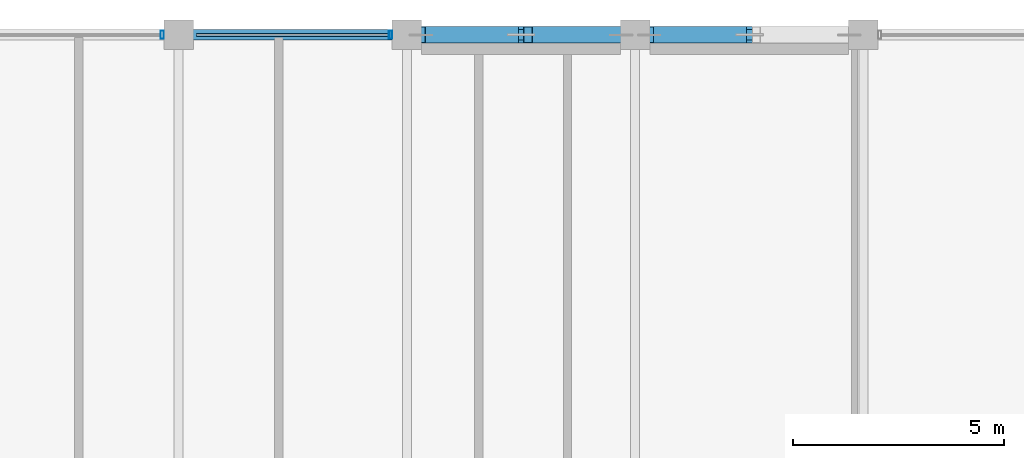
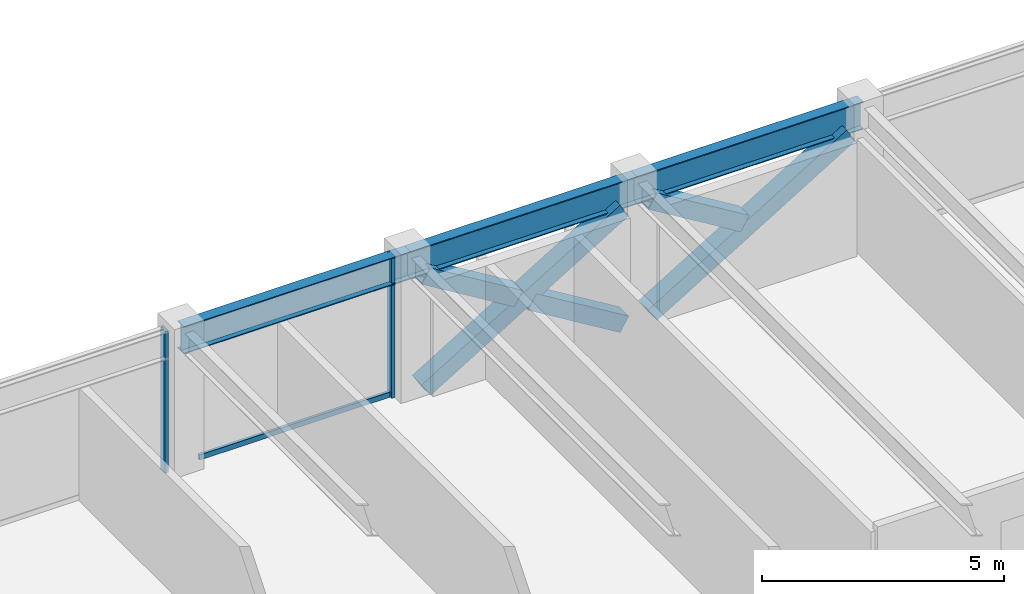
# One storey, part 18 of 30: 8 members, 3 beams, 1 element without a shape of its own.
"""IFC4 building model written with IfcOpenShell, lengths in metres."""

import ifcopenshell
import ifcopenshell.guid

model = None  # the IFC model being written
_history = None  # IfcOwnerHistory: only IFC2X3 demands one
_inside = {}  # id of a spatial element -> (the spatial element, [elements in it])
_under = {}  # id of a project, library or spatial element -> (it, [spatial elements below it])
_declared = {}  # id of a project -> (the project, [libraries it declares])
_typed = {}  # id of a type object -> (the type object, [elements of that type])
_made_of = {}  # id of a material, layer set ... -> (it, [elements and type objects made of it])


def new_model(schema):
    """Start an empty IFC model of exactly this schema.

    Asked for "IFC4X3", IfcOpenShell would pick the latest addendum, in which some entities
    have other attributes; the version numbers below select the first issue.
    IFC2X3 requires an IfcOwnerHistory on every rooted entity: one is made here for all.
    """
    global model, _history
    if schema == "IFC4X3":
        model = ifcopenshell.file(schema_version=(4, 3, 0, 0))
    else:
        model = ifcopenshell.file(schema=schema)
    _inside.clear()
    _under.clear()
    _declared.clear()
    _typed.clear()
    _made_of.clear()
    _history = None
    if model.schema == "IFC2X3":
        org = make("IfcOrganization", Name="unknown")
        user = make(
            "IfcPersonAndOrganization",
            ThePerson=make("IfcPerson", FamilyName="unknown"),
            TheOrganization=org,
        )
        app = make(
            "IfcApplication",
            ApplicationDeveloper=org,
            Version="unknown",
            ApplicationFullName="unknown",
            ApplicationIdentifier="unknown",
        )
        _history = make(
            "IfcOwnerHistory",
            OwningUser=user,
            OwningApplication=app,
            ChangeAction="ADDED",
            CreationDate=0,
        )
    return model


def make(cls, **values):
    """One entity of the class cls with the attributes given. An attribute that is None is left unset."""
    return model.create_entity(
        cls, **{name: value for name, value in values.items() if value is not None}
    )


def rooted(cls, **values):
    """An entity with a GlobalId (a new one), such as an element, a storey or a relation."""
    return make(cls, GlobalId=ifcopenshell.guid.new(), OwnerHistory=_history, **values)


def si_unit(unit_type, name, prefix=None):
    """IfcSIUnit, for example si_unit("LENGTHUNIT", "METRE", prefix="MILLI")."""
    return make("IfcSIUnit", UnitType=unit_type, Prefix=prefix, Name=name)


def assignment(units):
    """IfcUnitAssignment: the units of a project."""
    return None if units is None else make("IfcUnitAssignment", Units=units)


def point(xyz):
    """IfcCartesianPoint."""
    return None if xyz is None else make("IfcCartesianPoint", Coordinates=xyz)


def direction(xyz):
    """IfcDirection."""
    return None if xyz is None else make("IfcDirection", DirectionRatios=xyz)


def frame(location, z_axis=None, x_axis=None):
    """IfcAxis2Placement3D, a coordinate frame: its origin and axes. An axis left out is left unset."""
    return make(
        "IfcAxis2Placement3D",
        Location=point(location),
        Axis=direction(z_axis),
        RefDirection=direction(x_axis),
    )


def frame_2d(location, x_axis=None):
    """IfcAxis2Placement2D, a coordinate frame in the plane: its origin and x axis."""
    return make(
        "IfcAxis2Placement2D", Location=point(location), RefDirection=direction(x_axis)
    )


def origin():
    """The frame at (0, 0, 0) with its axes left unset."""
    return frame((0.0, 0.0, 0.0))


def origin_2d():
    """The frame at (0, 0) in the plane with its x axis left unset."""
    return frame_2d((0.0, 0.0))


def place(relative_to, where):
    """IfcLocalPlacement: puts the frame where relative to a parent placement (None: the world)."""
    return make(
        "IfcLocalPlacement", PlacementRelTo=relative_to, RelativePlacement=where
    )


def context(
    kind, dimensions, precision=None, world=None, true_north=None, identifier=None
):
    """IfcGeometricRepresentationContext, for example the 3D "Model" context."""
    return make(
        "IfcGeometricRepresentationContext",
        ContextIdentifier=identifier,
        ContextType=kind,
        CoordinateSpaceDimension=dimensions,
        Precision=precision,
        WorldCoordinateSystem=world,
        TrueNorth=true_north,
    )


def subcontext(parent, identifier, kind, view, scale=None):
    """IfcGeometricRepresentationSubContext, for example "Body" below "Model"."""
    return make(
        "IfcGeometricRepresentationSubContext",
        ContextIdentifier=identifier,
        ContextType=kind,
        ParentContext=parent,
        TargetScale=scale,
        TargetView=view,
    )


def project(units=None, contexts=None):
    """IfcProject with its units and contexts."""
    return rooted(
        "IfcProject",
        Name="project",
        RepresentationContexts=contexts,
        UnitsInContext=assignment(units),
    )


def spatial(cls, under=None, at=None, **own):
    """A site, building, storey or space (cls), placed at a placement, below another one or the project."""
    s = rooted(cls, ObjectPlacement=at, **own)
    if under is not None:
        _under.setdefault(under.id(), (under, []))[1].append(s)
    return s


def profile(cls, at=None, kind="AREA", **sizes):
    """A parametric profile (cls). Its sizes go by their IFC names, for example OverallWidth=200.0."""
    return make(cls, ProfileType=kind, Position=at, **sizes)


def hollow_rectangle(**sizes):
    """IfcRectangleHollowProfileDef."""
    return profile("IfcRectangleHollowProfileDef", **sizes)


def i_section(**sizes):
    """IfcIShapeProfileDef."""
    return profile("IfcIShapeProfileDef", **sizes)


def extrude(swept, where, along, depth):
    """IfcExtrudedAreaSolid: the profile swept, set in the frame where, extruded along a direction by depth."""
    return make(
        "IfcExtrudedAreaSolid",
        SweptArea=swept,
        Position=where,
        ExtrudedDirection=direction(along),
        Depth=depth,
    )


def shape(context_of_items, identifier, shape_type, items):
    """IfcShapeRepresentation: the items that make up one representation, for example the "Body"."""
    return make(
        "IfcShapeRepresentation",
        ContextOfItems=context_of_items,
        RepresentationIdentifier=identifier,
        RepresentationType=shape_type,
        Items=items,
    )


def material(Name=None, Category=None):
    """IfcMaterial."""
    return make("IfcMaterial", Name=Name, Category=Category)


def layer(
    of_material, thickness, ventilated=None, Name=None, Category=None, Priority=None
):
    """IfcMaterialLayer: one layer of a wall or slab, of a material (None: an air gap)."""
    return make(
        "IfcMaterialLayer",
        Material=of_material,
        LayerThickness=thickness,
        IsVentilated=ventilated,
        Name=Name,
        Category=Category,
        Priority=Priority,
    )


def layer_set(layers, Name=None):
    """IfcMaterialLayerSet."""
    return make("IfcMaterialLayerSet", MaterialLayers=layers, LayerSetName=Name)


def material_profile(
    of_material, cross_section, Name=None, Category=None, Priority=None
):
    """IfcMaterialProfile: a cross section and its material."""
    return make(
        "IfcMaterialProfile",
        Name=Name,
        Material=of_material,
        Profile=cross_section,
        Priority=Priority,
        Category=Category,
    )


def profile_set(profiles, Name=None, composite=None):
    """IfcMaterialProfileSet."""
    return make(
        "IfcMaterialProfileSet",
        Name=Name,
        MaterialProfiles=profiles,
        CompositeProfile=composite,
    )


def made_of(thing, what):
    """Note that an element or type object is made of a material, layer set ...; save() writes the relation."""
    if what is not None:
        _made_of.setdefault(what.id(), (what, []))[1].append(thing)
    return thing


def type_object(cls, material=None, **own):
    """A type object (cls), such as IfcWallType, which elements share."""
    return made_of(rooted(cls, **own), material)


def element(
    cls,
    number,
    at=None,
    inside=None,
    cuts=None,
    type_object=None,
    material=None,
    context=None,
    identifier="Body",
    shape_type=None,
    held_by="IfcProductDefinitionShape",
    body=None,
    shapes=None,
    **own,
):
    """One element of the class cls, such as IfcWall. Its Tag is "e" and its number.

    at: its placement. inside: the storey or other place that contains it. cuts: it is an
    opening in that element (IfcRelVoidsElement). A single representation is given by context,
    identifier, shape_type and body (its items); several are given by shapes. held_by: the class
    of the entity that holds the representations. save() writes the other relations.
    """
    e = rooted(cls, Tag="e%d" % number, ObjectPlacement=at, **own)
    if body is not None:
        shapes = [shape(context, identifier, shape_type, body)]
    if shapes is not None:
        e.Representation = make(held_by, Representations=shapes)
    if inside is not None:
        _inside.setdefault(inside.id(), (inside, []))[1].append(e)
    if cuts is not None:
        rooted(
            "IfcRelVoidsElement", RelatingBuildingElement=cuts, RelatedOpeningElement=e
        )
    if type_object is not None:
        _typed.setdefault(type_object.id(), (type_object, []))[1].append(e)
    return made_of(e, material)


def aggregate(whole, parts):
    """IfcRelAggregates: a whole, such as a stair, and the parts it consists of."""
    return rooted("IfcRelAggregates", RelatingObject=whole, RelatedObjects=parts)


def save(model, path):
    """Write the relations noted so far, then the file.

    IfcRelAggregates (storeys below a building ...), IfcRelContainedInSpatialStructure (elements
    in a storey), IfcRelDefinesByType, IfcRelAssociatesMaterial and IfcRelDeclares: one each for
    every whole, place, type object, material and project.
    """
    for whole, parts in _under.values():
        aggregate(whole, parts)
    for where, things in _inside.values():
        rooted(
            "IfcRelContainedInSpatialStructure",
            RelatedElements=things,
            RelatingStructure=where,
        )
    for kind, things in _typed.values():
        rooted("IfcRelDefinesByType", RelatedObjects=things, RelatingType=kind)
    for what, things in _made_of.values():
        rooted("IfcRelAssociatesMaterial", RelatedObjects=things, RelatingMaterial=what)
    for by, libraries in _declared.values():
        rooted("IfcRelDeclares", RelatingContext=by, RelatedDefinitions=libraries)
    model.write(path)


model = new_model("IFC4")

# Units and contexts
model_context = context("Model", 3, precision=1e-05, world=origin(), true_north=direction((0.0, 1.0)))
body_context = subcontext(model_context, "Body", "Model", "MODEL_VIEW")
ifc_project = project(units=[si_unit("LENGTHUNIT", "METRE"), si_unit("AREAUNIT", "SQUARE_METRE"), si_unit("VOLUMEUNIT", "CUBIC_METRE"), si_unit("PLANEANGLEUNIT", "RADIAN"), si_unit("MASSUNIT", "GRAM", prefix="KILO")], contexts=[model_context])

# Site, building, storey
site_placement = place(None, origin())
site = spatial("IfcSite", under=ifc_project, at=site_placement, CompositionType="ELEMENT")
building_placement = place(site_placement, origin())
building = spatial("IfcBuilding", under=site, at=building_placement, Name="Surkhivell Harbour Commons", CompositionType="ELEMENT")
storey_placement = place(building_placement, frame((0.0, 0.0, 281.25)))
storey = spatial("IfcBuildingStorey", under=building, at=storey_placement, Name="L73", CompositionType="ELEMENT", Elevation=281.25)

# Beams
ifc_material_1 = material(Name="Steel S355", Category="steel")
ifc_material_profile_1 = material_profile(ifc_material_1, i_section(OverallWidth=0.256103515625, OverallDepth=0.693115234375, WebThickness=0.014404296875, FlangeThickness=0.023681640625, at=origin_2d()), Name="UB686x254x170")
ifc_profile_set_1 = profile_set([ifc_material_profile_1], Name="Steel S355")
beam_type = type_object("IfcBeamType", Name="BM-SPN-686", PredefinedType="SPANDREL", material=ifc_profile_set_1)
beam_placement = place(storey_placement, frame((-10.800048828125, 25.89990234375, 3.223388671875), z_axis=(1.0, 0.0, 0.0), x_axis=(0.0, 1.0, 0.0)))
element("IfcBeam", 1, at=beam_placement, inside=storey, type_object=beam_type, Name="L73 Tube Spandrel (-10.8,25.9)", PredefinedType="SPANDREL", context=body_context, shape_type="SweptSolid", body=[
    extrude(i_section(OverallWidth=0.256103515625, OverallDepth=0.693115234375, WebThickness=0.014404296875, FlangeThickness=0.023681640625, at=origin_2d()), origin(), (0.0, 0.0, 1.0), 5.400146484375),
])
for number, where, z_axis, x_axis, name in (
    (2, (-5.39990234375, 25.89990234375, 3.223388671875), (1.0, 0.0, 0.0), (0.0, 1.0, 0.0), "L73 Tube Spandrel (-5.4,25.9)"),
    (3, (0.0, 25.89990234375, 3.223388671875), (1.0, 0.0, 0.0), (0.0, 1.0, 0.0), "L73 Tube Spandrel (-0.0,25.9)"),
):
    element("IfcBeam", number, at=place(storey_placement, frame(where, z_axis=z_axis, x_axis=x_axis)), inside=storey, type_object=beam_type, Name=name, PredefinedType="SPANDREL", context=body_context, shape_type="SweptSolid", body=[
        extrude(i_section(OverallWidth=0.256103515625, OverallDepth=0.693115234375, WebThickness=0.014404296875, FlangeThickness=0.023681640625, at=origin_2d()), origin(), (0.0, 0.0, 1.0), 5.39990234375),
    ])

# Curtain wall, members
ifc_material_2 = material(Name="Anodised pale-metal aluminium and insulated glazing", Category="aluminium")
ifc_layer = layer(ifc_material_2, 0.175048828125)
ifc_layer_set = layer_set([ifc_layer], Name="Anodised pale-metal aluminium and insulated glazing")
curtain_wall_type = type_object("IfcCurtainWallType", Name="CW-SYS-Z4", PredefinedType="NOTDEFINED", material=ifc_layer_set)
curtain_wall_placement = place(storey_placement, origin())
curtain_wall = element("IfcCurtainWall", 4, at=curtain_wall_placement, inside=storey, type_object=curtain_wall_type, Name="L73 Curtain Wall CW-L73-E07S2", PredefinedType="NOTDEFINED")
ifc_material_3 = material(Name="Anodised pale-metal aluminium alloy 6063-T6", Category="aluminium")
ifc_material_profile_2 = material_profile(ifc_material_3, hollow_rectangle(XDim=0.074951171875, YDim=0.18994140625, WallThickness=0.00390625, at=origin_2d()), Name="ALU-MULL-75x190")
ifc_profile_set_2 = profile_set([ifc_material_profile_2], Name="Anodised pale-metal aluminium alloy 6063-T6")
member_type_1 = type_object("IfcMemberType", Name="CWM-190", PredefinedType="MULLION", material=ifc_profile_set_2)
member_1_placement = place(storey_placement, frame((-5.78955078125, 25.89990234375, 0.0), z_axis=(0.0, 0.0, 1.0), x_axis=(-1.0, 0.0, 0.0)))
member_1 = element("IfcMember", 5, at=member_1_placement, type_object=member_type_1, Name="CW-Z4 mullion 1", PredefinedType="MULLION", context=body_context, shape_type="SweptSolid", body=[
    extrude(hollow_rectangle(XDim=0.074951171875, YDim=0.18994140625, WallThickness=0.00390625, at=origin_2d()), origin(), (0.0, 0.0, 1.0), 3.570068359375),
])
member_2_placement = place(storey_placement, frame((-11.189453125, 25.89990234375, 0.0), z_axis=(0.0, 0.0, 1.0), x_axis=(-1.0, 0.0, 0.0)))
member_2 = element("IfcMember", 6, at=member_2_placement, type_object=member_type_1, Name="CW-Z4 mullion 2", PredefinedType="MULLION", context=body_context, shape_type="SweptSolid", body=[
    extrude(hollow_rectangle(XDim=0.074951171875, YDim=0.18994140625, WallThickness=0.00390625, at=origin_2d()), origin(), (0.0, 0.0, 1.0), 3.570068359375),
])
ifc_material_4 = material(Name="Champagne anodised aluminium alloy 6063-T6", Category="aluminium")
ifc_material_profile_3 = material_profile(ifc_material_4, hollow_rectangle(XDim=0.070068359375, YDim=0.1298828125, WallThickness=0.00341796875, at=origin_2d()), Name="ALU-TRAN-70x130")
ifc_profile_set_3 = profile_set([ifc_material_profile_3], Name="Champagne anodised aluminium alloy 6063-T6")
member_type_2 = type_object("IfcMemberType", Name="CWT-130", PredefinedType="USERDEFINED", material=ifc_profile_set_3)
member_3_placement = place(storey_placement, frame((-5.826904296875, 25.89990234375, 0.06494140625), z_axis=(-1.0, 0.0, 0.0), x_axis=(0.0, -1.0, 0.0)))
member_3 = element("IfcMember", 7, at=member_3_placement, type_object=member_type_2, Name="CW-Z4 transom 1.1", ObjectType="TRANSOM", PredefinedType="USERDEFINED", context=body_context, shape_type="SweptSolid", body=[
    extrude(hollow_rectangle(XDim=0.070068359375, YDim=0.1298828125, WallThickness=0.00341796875, at=origin_2d()), origin(), (0.0, 0.0, 1.0), 4.546142578125),
])
aggregate(curtain_wall, [member_1, member_3, member_2])

# Members
ifc_material_5 = material(Name="Steel S460", Category="steel")
ifc_material_profile_4 = material_profile(ifc_material_5, hollow_rectangle(XDim=0.39990234375, YDim=0.39990234375, WallThickness=0.02001953125, at=origin_2d()), Name="SHS400x400x20")
ifc_profile_set_4 = profile_set([ifc_material_profile_4], Name="Steel S460")
member_type_3 = type_object("IfcMemberType", Name="MEM-BRC-SHS400", PredefinedType="BRACE", material=ifc_profile_set_4)
member_4_placement = place(storey_placement, frame((-5.06494140625, 25.89990234375, 0.008056640625), z_axis=(0.854685454322, 0.0, 0.519146197299), x_axis=(0.0, 1.0, 0.0)))
element("IfcMember", 8, at=member_4_placement, inside=storey, type_object=member_type_3, Name="L73 Perimeter Mega-Brace MB- 01", PredefinedType="BRACE", context=body_context, shape_type="SweptSolid", body=[
    extrude(hollow_rectangle(XDim=0.39990234375, YDim=0.39990234375, WallThickness=0.02001953125, at=origin_2d()), origin(), (0.0, 0.0, 1.0), 5.5341796875),
])
member_5_placement = place(storey_placement, frame((-0.3349609375, 25.89990234375, 0.008056640625), z_axis=(-0.854719912157, 0.0, 0.519089464122), x_axis=(0.0, -1.0, 0.0)))
element("IfcMember", 9, at=member_5_placement, inside=storey, type_object=member_type_3, Name="L73 Perimeter Mega-Brace MB- 02", PredefinedType="BRACE", context=body_context, shape_type="SweptSolid", body=[
    extrude(hollow_rectangle(XDim=0.39990234375, YDim=0.39990234375, WallThickness=0.02001953125, at=origin_2d()), origin(), (0.0, 0.0, 1.0), 2.574951171875),
])
member_6_placement = place(storey_placement, frame((-2.864013671875, 25.89990234375, 1.544189453125), z_axis=(-0.854677846108, 0.0, 0.519158722716), x_axis=(0.0, -1.0, 0.0)))
element("IfcMember", 10, at=member_6_placement, inside=storey, type_object=member_type_3, Name="L73 Perimeter Mega-Brace MB- 03", PredefinedType="BRACE", context=body_context, shape_type="SweptSolid", body=[
    extrude(hollow_rectangle(XDim=0.39990234375, YDim=0.39990234375, WallThickness=0.02001953125, at=origin_2d()), origin(), (0.0, 0.0, 1.0), 2.5751953125),
])
member_7_placement = place(storey_placement, frame((0.3349609375, 25.89990234375, 0.008056640625), z_axis=(0.854685454322, 0.0, 0.519146197299), x_axis=(0.0, 1.0, 0.0)))
element("IfcMember", 11, at=member_7_placement, inside=storey, type_object=member_type_3, Name="L73 Perimeter Mega-Brace MB- 04", PredefinedType="BRACE", context=body_context, shape_type="SweptSolid", body=[
    extrude(hollow_rectangle(XDim=0.39990234375, YDim=0.39990234375, WallThickness=0.02001953125, at=origin_2d()), origin(), (0.0, 0.0, 1.0), 5.5341796875),
])
member_8_placement = place(storey_placement, frame((2.535888671875, 25.89990234375, 1.544189453125), z_axis=(-0.854677846108, 0.0, 0.519158722716), x_axis=(0.0, -1.0, 0.0)))
element("IfcMember", 12, at=member_8_placement, inside=storey, type_object=member_type_3, Name="L73 Perimeter Mega-Brace MB- 06", PredefinedType="BRACE", context=body_context, shape_type="SweptSolid", body=[
    extrude(hollow_rectangle(XDim=0.39990234375, YDim=0.39990234375, WallThickness=0.02001953125, at=origin_2d()), origin(), (0.0, 0.0, 1.0), 2.5751953125),
])

save(model, "model.ifc")
